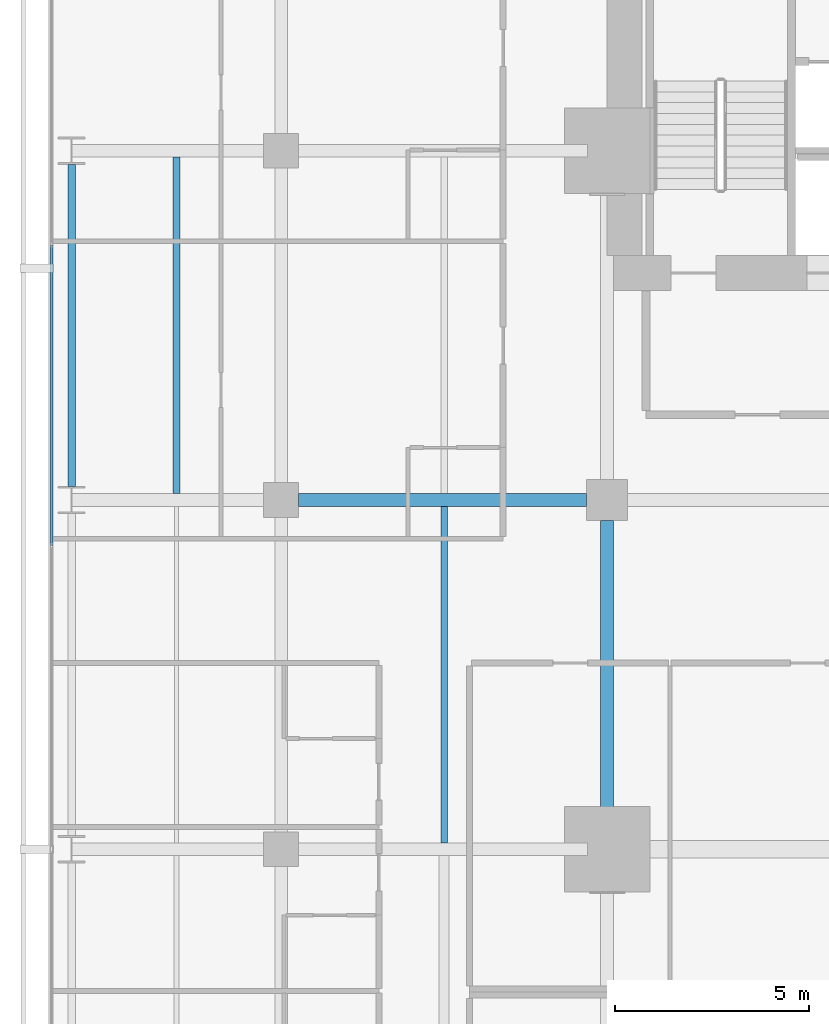
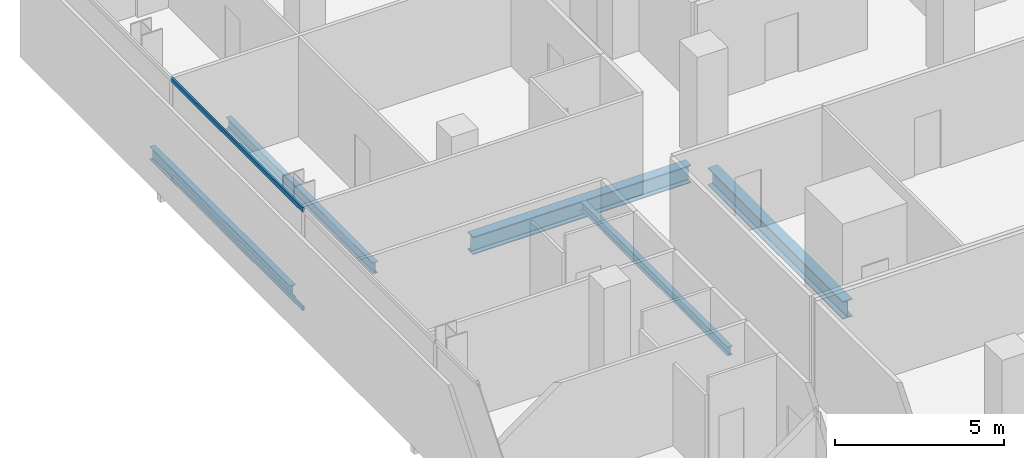
# One storey, part 22 of 40: 5 beams, 2 members, 1 element without a shape of its own.
"""IFC4 building model written with IfcOpenShell, lengths in metres."""

import ifcopenshell
import ifcopenshell.guid

model = None  # the IFC model being written
_history = None  # IfcOwnerHistory: only IFC2X3 demands one
_inside = {}  # id of a spatial element -> (the spatial element, [elements in it])
_under = {}  # id of a project, library or spatial element -> (it, [spatial elements below it])
_declared = {}  # id of a project -> (the project, [libraries it declares])
_typed = {}  # id of a type object -> (the type object, [elements of that type])
_made_of = {}  # id of a material, layer set ... -> (it, [elements and type objects made of it])


def new_model(schema):
    """Start an empty IFC model of exactly this schema.

    Asked for "IFC4X3", IfcOpenShell would pick the latest addendum, in which some entities
    have other attributes; the version numbers below select the first issue.
    IFC2X3 requires an IfcOwnerHistory on every rooted entity: one is made here for all.
    """
    global model, _history
    if schema == "IFC4X3":
        model = ifcopenshell.file(schema_version=(4, 3, 0, 0))
    else:
        model = ifcopenshell.file(schema=schema)
    _inside.clear()
    _under.clear()
    _declared.clear()
    _typed.clear()
    _made_of.clear()
    _history = None
    if model.schema == "IFC2X3":
        org = make("IfcOrganization", Name="unknown")
        user = make(
            "IfcPersonAndOrganization",
            ThePerson=make("IfcPerson", FamilyName="unknown"),
            TheOrganization=org,
        )
        app = make(
            "IfcApplication",
            ApplicationDeveloper=org,
            Version="unknown",
            ApplicationFullName="unknown",
            ApplicationIdentifier="unknown",
        )
        _history = make(
            "IfcOwnerHistory",
            OwningUser=user,
            OwningApplication=app,
            ChangeAction="ADDED",
            CreationDate=0,
        )
    return model


def make(cls, **values):
    """One entity of the class cls with the attributes given. An attribute that is None is left unset."""
    return model.create_entity(
        cls, **{name: value for name, value in values.items() if value is not None}
    )


def rooted(cls, **values):
    """An entity with a GlobalId (a new one), such as an element, a storey or a relation."""
    return make(cls, GlobalId=ifcopenshell.guid.new(), OwnerHistory=_history, **values)


def si_unit(unit_type, name, prefix=None):
    """IfcSIUnit, for example si_unit("LENGTHUNIT", "METRE", prefix="MILLI")."""
    return make("IfcSIUnit", UnitType=unit_type, Prefix=prefix, Name=name)


def assignment(units):
    """IfcUnitAssignment: the units of a project."""
    return None if units is None else make("IfcUnitAssignment", Units=units)


def point(xyz):
    """IfcCartesianPoint."""
    return None if xyz is None else make("IfcCartesianPoint", Coordinates=xyz)


def direction(xyz):
    """IfcDirection."""
    return None if xyz is None else make("IfcDirection", DirectionRatios=xyz)


def frame(location, z_axis=None, x_axis=None):
    """IfcAxis2Placement3D, a coordinate frame: its origin and axes. An axis left out is left unset."""
    return make(
        "IfcAxis2Placement3D",
        Location=point(location),
        Axis=direction(z_axis),
        RefDirection=direction(x_axis),
    )


def frame_2d(location, x_axis=None):
    """IfcAxis2Placement2D, a coordinate frame in the plane: its origin and x axis."""
    return make(
        "IfcAxis2Placement2D", Location=point(location), RefDirection=direction(x_axis)
    )


def origin():
    """The frame at (0, 0, 0) with its axes left unset."""
    return frame((0.0, 0.0, 0.0))


def origin_2d():
    """The frame at (0, 0) in the plane with its x axis left unset."""
    return frame_2d((0.0, 0.0))


def place(relative_to, where):
    """IfcLocalPlacement: puts the frame where relative to a parent placement (None: the world)."""
    return make(
        "IfcLocalPlacement", PlacementRelTo=relative_to, RelativePlacement=where
    )


def context(
    kind, dimensions, precision=None, world=None, true_north=None, identifier=None
):
    """IfcGeometricRepresentationContext, for example the 3D "Model" context."""
    return make(
        "IfcGeometricRepresentationContext",
        ContextIdentifier=identifier,
        ContextType=kind,
        CoordinateSpaceDimension=dimensions,
        Precision=precision,
        WorldCoordinateSystem=world,
        TrueNorth=true_north,
    )


def subcontext(parent, identifier, kind, view, scale=None):
    """IfcGeometricRepresentationSubContext, for example "Body" below "Model"."""
    return make(
        "IfcGeometricRepresentationSubContext",
        ContextIdentifier=identifier,
        ContextType=kind,
        ParentContext=parent,
        TargetScale=scale,
        TargetView=view,
    )


def project(units=None, contexts=None):
    """IfcProject with its units and contexts."""
    return rooted(
        "IfcProject",
        Name="project",
        RepresentationContexts=contexts,
        UnitsInContext=assignment(units),
    )


def spatial(cls, under=None, at=None, **own):
    """A site, building, storey or space (cls), placed at a placement, below another one or the project."""
    s = rooted(cls, ObjectPlacement=at, **own)
    if under is not None:
        _under.setdefault(under.id(), (under, []))[1].append(s)
    return s


def profile(cls, at=None, kind="AREA", **sizes):
    """A parametric profile (cls). Its sizes go by their IFC names, for example OverallWidth=200.0."""
    return make(cls, ProfileType=kind, Position=at, **sizes)


def hollow_rectangle(**sizes):
    """IfcRectangleHollowProfileDef."""
    return profile("IfcRectangleHollowProfileDef", **sizes)


def i_section(**sizes):
    """IfcIShapeProfileDef."""
    return profile("IfcIShapeProfileDef", **sizes)


def extrude(swept, where, along, depth):
    """IfcExtrudedAreaSolid: the profile swept, set in the frame where, extruded along a direction by depth."""
    return make(
        "IfcExtrudedAreaSolid",
        SweptArea=swept,
        Position=where,
        ExtrudedDirection=direction(along),
        Depth=depth,
    )


def shape(context_of_items, identifier, shape_type, items):
    """IfcShapeRepresentation: the items that make up one representation, for example the "Body"."""
    return make(
        "IfcShapeRepresentation",
        ContextOfItems=context_of_items,
        RepresentationIdentifier=identifier,
        RepresentationType=shape_type,
        Items=items,
    )


def material(Name=None, Category=None):
    """IfcMaterial."""
    return make("IfcMaterial", Name=Name, Category=Category)


def layer(
    of_material, thickness, ventilated=None, Name=None, Category=None, Priority=None
):
    """IfcMaterialLayer: one layer of a wall or slab, of a material (None: an air gap)."""
    return make(
        "IfcMaterialLayer",
        Material=of_material,
        LayerThickness=thickness,
        IsVentilated=ventilated,
        Name=Name,
        Category=Category,
        Priority=Priority,
    )


def layer_set(layers, Name=None):
    """IfcMaterialLayerSet."""
    return make("IfcMaterialLayerSet", MaterialLayers=layers, LayerSetName=Name)


def material_profile(
    of_material, cross_section, Name=None, Category=None, Priority=None
):
    """IfcMaterialProfile: a cross section and its material."""
    return make(
        "IfcMaterialProfile",
        Name=Name,
        Material=of_material,
        Profile=cross_section,
        Priority=Priority,
        Category=Category,
    )


def profile_set(profiles, Name=None, composite=None):
    """IfcMaterialProfileSet."""
    return make(
        "IfcMaterialProfileSet",
        Name=Name,
        MaterialProfiles=profiles,
        CompositeProfile=composite,
    )


def made_of(thing, what):
    """Note that an element or type object is made of a material, layer set ...; save() writes the relation."""
    if what is not None:
        _made_of.setdefault(what.id(), (what, []))[1].append(thing)
    return thing


def type_object(cls, material=None, **own):
    """A type object (cls), such as IfcWallType, which elements share."""
    return made_of(rooted(cls, **own), material)


def element(
    cls,
    number,
    at=None,
    inside=None,
    cuts=None,
    type_object=None,
    material=None,
    context=None,
    identifier="Body",
    shape_type=None,
    held_by="IfcProductDefinitionShape",
    body=None,
    shapes=None,
    **own,
):
    """One element of the class cls, such as IfcWall. Its Tag is "e" and its number.

    at: its placement. inside: the storey or other place that contains it. cuts: it is an
    opening in that element (IfcRelVoidsElement). A single representation is given by context,
    identifier, shape_type and body (its items); several are given by shapes. held_by: the class
    of the entity that holds the representations. save() writes the other relations.
    """
    e = rooted(cls, Tag="e%d" % number, ObjectPlacement=at, **own)
    if body is not None:
        shapes = [shape(context, identifier, shape_type, body)]
    if shapes is not None:
        e.Representation = make(held_by, Representations=shapes)
    if inside is not None:
        _inside.setdefault(inside.id(), (inside, []))[1].append(e)
    if cuts is not None:
        rooted(
            "IfcRelVoidsElement", RelatingBuildingElement=cuts, RelatedOpeningElement=e
        )
    if type_object is not None:
        _typed.setdefault(type_object.id(), (type_object, []))[1].append(e)
    return made_of(e, material)


def aggregate(whole, parts):
    """IfcRelAggregates: a whole, such as a stair, and the parts it consists of."""
    return rooted("IfcRelAggregates", RelatingObject=whole, RelatedObjects=parts)


def save(model, path):
    """Write the relations noted so far, then the file.

    IfcRelAggregates (storeys below a building ...), IfcRelContainedInSpatialStructure (elements
    in a storey), IfcRelDefinesByType, IfcRelAssociatesMaterial and IfcRelDeclares: one each for
    every whole, place, type object, material and project.
    """
    for whole, parts in _under.values():
        aggregate(whole, parts)
    for where, things in _inside.values():
        rooted(
            "IfcRelContainedInSpatialStructure",
            RelatedElements=things,
            RelatingStructure=where,
        )
    for kind, things in _typed.values():
        rooted("IfcRelDefinesByType", RelatedObjects=things, RelatingType=kind)
    for what, things in _made_of.values():
        rooted("IfcRelAssociatesMaterial", RelatedObjects=things, RelatingMaterial=what)
    for by, libraries in _declared.values():
        rooted("IfcRelDeclares", RelatingContext=by, RelatedDefinitions=libraries)
    model.write(path)


model = new_model("IFC4")

# Units and contexts
model_context = context("Model", 3, precision=1e-05, world=origin(), true_north=direction((0.0, 1.0)))
body_context = subcontext(model_context, "Body", "Model", "MODEL_VIEW")
ifc_project = project(units=[si_unit("LENGTHUNIT", "METRE"), si_unit("AREAUNIT", "SQUARE_METRE"), si_unit("VOLUMEUNIT", "CUBIC_METRE"), si_unit("PLANEANGLEUNIT", "RADIAN"), si_unit("MASSUNIT", "GRAM", prefix="KILO")], contexts=[model_context])

# Site, building, storey
site_placement = place(None, origin())
site = spatial("IfcSite", under=ifc_project, at=site_placement, CompositionType="ELEMENT")
building_placement = place(site_placement, origin())
building = spatial("IfcBuilding", under=site, at=building_placement, Name="Maruvema Waterfront Hotel and Observation Tower", CompositionType="ELEMENT")
storey_placement = place(building_placement, frame((0.0, 0.0, 30.800048828125)))
storey = spatial("IfcBuildingStorey", under=building, at=storey_placement, Name="L06", CompositionType="ELEMENT", Elevation=30.800048828125)

# Curtain wall, members
ifc_material_1 = material(Name="Anodised bronze aluminium and solar-control low-E IGU", Category="aluminium")
ifc_layer = layer(ifc_material_1, 0.159912109375, Name="Zone 1 Bronze Inner Thermal Curtain Wall System CW-02")
ifc_layer_set = layer_set([ifc_layer], Name="Anodised bronze aluminium and solar-control low-E IGU")
curtain_wall_type = type_object("IfcCurtainWallType", Name="Zone 1 Bronze Inner Thermal Curtain Wall System CW-02", PredefinedType="USERDEFINED", material=ifc_layer_set)
curtain_wall_placement = place(storey_placement, origin())
curtain_wall = element("IfcCurtainWall", 1, at=curtain_wall_placement, inside=storey, type_object=curtain_wall_type, Name="L06 Curtain Wall CW-L06-W", ObjectType="UNITISED CURTAIN WALL", PredefinedType="USERDEFINED")
ifc_material_2 = material(Name="Anodised architectural bronze aluminium", Category="aluminium")
ifc_material_profile_1 = material_profile(ifc_material_2, hollow_rectangle(XDim=0.070068359375, YDim=0.14990234375, WallThickness=0.00390625, at=origin_2d()), Name="ALU-T70x150")
ifc_profile_set_1 = profile_set([ifc_material_profile_1], Name="Anodised architectural bronze aluminium")
member_type = type_object("IfcMemberType", Name="Curtain Wall Horizontal Transom ALU-T70x150", PredefinedType="USERDEFINED", material=ifc_profile_set_1)
member_1_placement = place(storey_placement, frame((10.8798828125, 42.570068359375, 0.030029296875), z_axis=(0.0, -1.0, 0.0), x_axis=(1.0, 0.0, 0.0)))
member_1 = element("IfcMember", 2, at=member_1_placement, type_object=member_type, Name="CW-02 transom 2.1", ObjectType="TRANSOM", PredefinedType="USERDEFINED", context=body_context, shape_type="SweptSolid", body=[
    extrude(hollow_rectangle(XDim=0.070068359375, YDim=0.14990234375, WallThickness=0.00390625, at=origin_2d()), origin(), (0.0, 0.0, 1.0), 7.739990234375),
])
member_2_placement = place(storey_placement, frame((10.8798828125, 42.570068359375, 3.579833984375), z_axis=(0.0, -1.0, 0.0), x_axis=(1.0, 0.0, 0.0)))
member_2 = element("IfcMember", 3, at=member_2_placement, type_object=member_type, Name="CW-02 transom 2.2", ObjectType="TRANSOM", PredefinedType="USERDEFINED", context=body_context, shape_type="SweptSolid", body=[
    extrude(hollow_rectangle(XDim=0.070068359375, YDim=0.14990234375, WallThickness=0.00390625, at=origin_2d()), origin(), (0.0, 0.0, 1.0), 7.739990234375),
])
aggregate(curtain_wall, [member_1, member_2])

# Beams
ifc_material_3 = material(Name="Steel ASTM A572 Grade 50", Category="steel")
ifc_material_profile_2 = material_profile(ifc_material_3, i_section(OverallWidth=0.18994140625, OverallDepth=0.45703125, WebThickness=0.009033203125, FlangeThickness=0.014404296875, FilletRadius=0.014892578125, at=origin_2d()), Name="W460x74.0")
ifc_profile_set_2 = profile_set([ifc_material_profile_2], Name="Steel ASTM A572 Grade 50")
beam_type_1 = type_object("IfcBeamType", Name="Perimeter Spandrel Beam W460x74.0", PredefinedType="SPANDREL", material=ifc_profile_set_2)
beam_1_placement = place(storey_placement, frame((11.39990234375, 36.35009765625, -0.468505859375), z_axis=(0.0, 1.0, 0.0), x_axis=(-1.0, 0.0, 0.0)))
element("IfcBeam", 4, at=beam_1_placement, inside=storey, type_object=beam_type_1, Name="L06 Floor Girder NS-04", PredefinedType="SPANDREL", context=body_context, shape_type="SweptSolid", body=[
    extrude(i_section(OverallWidth=0.18994140625, OverallDepth=0.45703125, WebThickness=0.009033203125, FlangeThickness=0.014404296875, FilletRadius=0.014892578125, at=origin_2d()), origin(), (0.0, 0.0, 1.0), 8.2998046875),
])
ifc_material_4 = material(Name="Steel ASTM A572 Grade 50", Category="steel")
ifc_material_profile_3 = material_profile(ifc_material_4, i_section(OverallWidth=0.3291015625, OverallDepth=0.635009765625, WebThickness=0.017822265625, FlangeThickness=0.031005859375, FilletRadius=0.01806640625, at=origin_2d()), Name="W610x241.0")
ifc_profile_set_3 = profile_set([ifc_material_profile_3], Name="Steel ASTM A572 Grade 50")
beam_type_2 = type_object("IfcBeamType", Name="Primary Floor Girder W610x241.0", PredefinedType="BEAM", material=ifc_profile_set_3)
beam_2_placement = place(storey_placement, frame((17.25, 36.0, -0.5576171875), z_axis=(1.0, 0.0, 0.0), x_axis=(0.0, 1.0, 0.0)))
element("IfcBeam", 5, at=beam_2_placement, inside=storey, type_object=beam_type_2, Name="L06 Floor Girder EW-26", PredefinedType="BEAM", context=body_context, shape_type="SweptSolid", body=[
    extrude(i_section(OverallWidth=0.3291015625, OverallDepth=0.635009765625, WebThickness=0.017822265625, FlangeThickness=0.031005859375, FilletRadius=0.01806640625, at=origin_2d()), origin(), (0.0, 0.0, 1.0), 7.425048828125),
])
beam_3_placement = place(storey_placement, frame((25.199951171875, 27.5, -0.5576171875), z_axis=(0.0, 1.0, 0.0), x_axis=(-1.0, 0.0, 0.0)))
element("IfcBeam", 6, at=beam_3_placement, inside=storey, type_object=beam_type_2, Name="L06 Floor Girder NS-14", PredefinedType="BEAM", context=body_context, shape_type="SweptSolid", body=[
    extrude(i_section(OverallWidth=0.3291015625, OverallDepth=0.635009765625, WebThickness=0.017822265625, FlangeThickness=0.031005859375, FilletRadius=0.01806640625, at=origin_2d()), origin(), (0.0, 0.0, 1.0), 7.97509765625),
])
ifc_material_5 = material(Name="Steel ASTM A572 Grade 50", Category="steel")
ifc_material_profile_4 = material_profile(ifc_material_5, i_section(OverallWidth=0.1669921875, OverallDepth=0.31689453125, WebThickness=0.007568359375, FlangeThickness=0.01318359375, FilletRadius=0.012939453125, at=origin_2d()), Name="W310x52.0")
ifc_profile_set_4 = profile_set([ifc_material_profile_4], Name="Steel ASTM A572 Grade 50")
beam_type_3 = type_object("IfcBeamType", Name="Secondary Floor Joist W310x52.0", PredefinedType="JOIST", material=ifc_profile_set_4)
beam_4_placement = place(storey_placement, frame((21.0, 27.16455078125, -0.3984375), z_axis=(0.0, 1.0, 0.0), x_axis=(-1.0, 0.0, 0.0)))
element("IfcBeam", 7, at=beam_4_placement, inside=storey, type_object=beam_type_3, Name="L06 Secondary Floor Joist JS-08", PredefinedType="JOIST", context=body_context, shape_type="SweptSolid", body=[
    extrude(i_section(OverallWidth=0.1669921875, OverallDepth=0.31689453125, WebThickness=0.007568359375, FlangeThickness=0.01318359375, FilletRadius=0.012939453125, at=origin_2d()), origin(), (0.0, 0.0, 1.0), 8.6708984375),
])
ifc_material_6 = material(Name="Steel ASTM A572 Grade 50", Category="steel")
ifc_material_profile_5 = material_profile(ifc_material_6, i_section(OverallWidth=0.177001953125, OverallDepth=0.403076171875, WebThickness=0.007568359375, FlangeThickness=0.010986328125, FilletRadius=0.014892578125, at=origin_2d()), Name="W410x53.0")
ifc_profile_set_5 = profile_set([ifc_material_profile_5], Name="Steel ASTM A572 Grade 50")
beam_type_4 = type_object("IfcBeamType", Name="Secondary Floor Joist W410x53.0", PredefinedType="JOIST", material=ifc_profile_set_5)
beam_5_placement = place(storey_placement, frame((14.10009765625, 36.16455078125, -0.441650390625), z_axis=(0.0, 1.0, 0.0), x_axis=(-1.0, 0.0, 0.0)))
element("IfcBeam", 8, at=beam_5_placement, inside=storey, type_object=beam_type_4, Name="L06 Secondary Floor Joist JS-04", PredefinedType="JOIST", context=body_context, shape_type="SweptSolid", body=[
    extrude(i_section(OverallWidth=0.177001953125, OverallDepth=0.403076171875, WebThickness=0.007568359375, FlangeThickness=0.010986328125, FilletRadius=0.014892578125, at=origin_2d()), origin(), (0.0, 0.0, 1.0), 8.6708984375),
])

save(model, "model.ifc")
